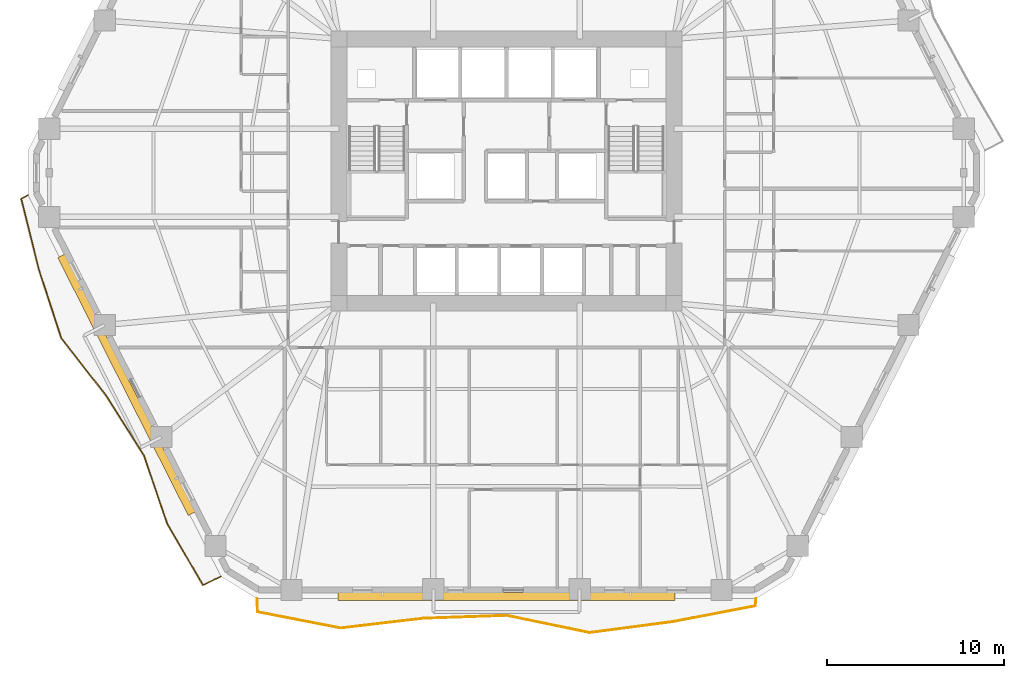
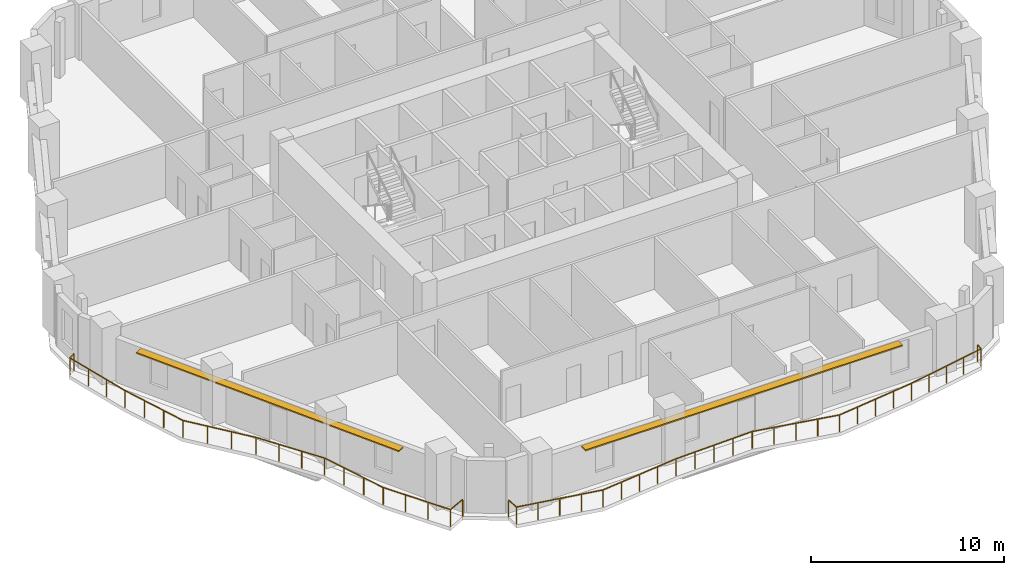
# One storey, part 11 of 14: 2 railings, 2 shading devices.
"""IFC4 building model written with IfcOpenShell, lengths in metres."""

from ifc_helpers import new_model, si_unit, direction, frame, origin, origin_2d, place, context, subcontext, project, spatial, rectangle, extrude, material, layer, layer_set, type_object, element, save


model = new_model("IFC4")

# Units and contexts
model_context = context("Model", 3, precision=1e-05, world=origin(), true_north=direction((0.0, 1.0)))
body_context = subcontext(model_context, "Body", "Model", "MODEL_VIEW")
ifc_project = project(units=[si_unit("LENGTHUNIT", "METRE"), si_unit("AREAUNIT", "SQUARE_METRE"), si_unit("VOLUMEUNIT", "CUBIC_METRE"), si_unit("PLANEANGLEUNIT", "RADIAN"), si_unit("MASSUNIT", "GRAM", prefix="KILO")], contexts=[model_context])

# Site, building, storey
site_placement = place(None, origin())
site = spatial("IfcSite", under=ifc_project, at=site_placement, CompositionType="ELEMENT")
building_placement = place(site_placement, origin())
building = spatial("IfcBuilding", under=site, at=building_placement, Name="Cinnabar Lancet Tower", CompositionType="ELEMENT")
storey_placement = place(building_placement, frame((0.0, 0.0, 67.5)))
storey = spatial("IfcBuildingStorey", under=building, at=storey_placement, Name="L17", CompositionType="ELEMENT", Elevation=67.5)

# Railings
ifc_material_1 = material(Name="Laminated safety glass and bronze stainless steel balustrade", Category="steel")
railing_type = type_object("IfcRailingType", Name="ENV-RLG-BAL-1100", PredefinedType="BALUSTRADE", material=ifc_material_1)
railing_1_placement = place(storey_placement, frame((18.343994140625, 1.800048828125, 0.0)))
element("IfcRailing", 1, at=railing_1_placement, inside=storey, type_object=railing_type, Name="L17 Face 1 Wave Balcony Balustrade", PredefinedType="BALUSTRADE", context=body_context, shape_type="SweptSolid", body=[
    extrude(rectangle(XDim=0.048095703125, YDim=0.048095703125, at=origin_2d()), frame((0.0, 0.0, 1.076171875), z_axis=(0.046742048435, -0.998906993122, 0.0), x_axis=(0.998906993122, 0.046742048435, 0.0)), (0.0, 0.0, 1.0), 0.746826171875),
    extrude(rectangle(XDim=0.048095703125, YDim=0.048095703125, at=origin_2d()), frame((0.034912109375, -0.74609375, 1.076171875), z_axis=(0.981688705417, -0.190492219411, 0.0), x_axis=(0.190492219411, 0.981688705417, 0.0)), (0.0, 0.0, 1.0), 4.76123046875),
    extrude(rectangle(XDim=0.048095703125, YDim=0.048095703125, at=origin_2d()), frame((4.708984375, -1.653076171875, 1.076171875), z_axis=(0.993197610951, 0.116440996218, 0.0), x_axis=(-0.116440996218, 0.993197610951, 0.0)), (0.0, 0.0, 1.0), 4.70703125),
    extrude(rectangle(XDim=0.048095703125, YDim=0.048095703125, at=origin_2d()), frame((9.384033203125, -1.10498046875, 1.076171875), z_axis=(0.999400341551, 0.034625962921, 0.0), x_axis=(-0.034625962921, 0.999400341551, 0.0)), (0.0, 0.0, 1.0), 4.674560546875),
    extrude(rectangle(XDim=0.048095703125, YDim=0.048095703125, at=origin_2d()), frame((14.055908203125, -0.943115234375, 1.076171875), z_axis=(0.979171079114, -0.203036937099, 0.0), x_axis=(0.203036937099, 0.979171079114, 0.0)), (0.0, 0.0, 1.0), 4.7724609375),
    extrude(rectangle(XDim=0.048095703125, YDim=0.048095703125, at=origin_2d()), frame((18.72900390625, -1.912109375, 1.076171875), z_axis=(0.991508326472, 0.130043217956, 0.0), x_axis=(-0.130043217956, 0.991508326472, 0.0)), (0.0, 0.0, 1.0), 4.714111328125),
    extrude(rectangle(XDim=0.048095703125, YDim=0.048095703125, at=origin_2d()), frame((23.403076171875, -1.299072265625, 1.076171875), z_axis=(0.982267538339, 0.187484621035, 0.0), x_axis=(-0.187484621035, 0.982267538339, 0.0)), (0.0, 0.0, 1.0), 4.75830078125),
    extrude(rectangle(XDim=0.048095703125, YDim=0.048095703125, at=origin_2d()), frame((28.076904296875, -0.406982421875, 1.076171875), z_axis=(0.08606222316, 0.996289763947, 0.0), x_axis=(-0.996289763947, 0.08606222316, 0.0)), (0.0, 0.0, 1.0), 0.408447265625),
    extrude(rectangle(XDim=0.0419921875, YDim=0.0419921875, at=origin_2d()), origin(), (0.0, 0.0, 1.0), 1.052001953125),
    extrude(rectangle(XDim=0.0419921875, YDim=0.0419921875, at=origin_2d()), frame((0.034912109375, -0.74609375, 0.0)), (0.0, 0.0, 1.0), 1.052001953125),
    extrude(rectangle(XDim=0.0419921875, YDim=0.0419921875, at=origin_2d()), frame((1.203369140625, -0.972900390625, 0.0)), (0.0, 0.0, 1.0), 1.052001953125),
    extrude(rectangle(XDim=0.0419921875, YDim=0.0419921875, at=origin_2d()), frame((2.3720703125, -1.19970703125, 0.0)), (0.0, 0.0, 1.0), 1.052001953125),
    extrude(rectangle(XDim=0.0419921875, YDim=0.0419921875, at=origin_2d()), frame((3.54052734375, -1.42626953125, 0.0)), (0.0, 0.0, 1.0), 1.052001953125),
    extrude(rectangle(XDim=0.0419921875, YDim=0.0419921875, at=origin_2d()), frame((4.708984375, -1.653076171875, 0.0)), (0.0, 0.0, 1.0), 1.052001953125),
    extrude(rectangle(XDim=0.0419921875, YDim=0.0419921875, at=origin_2d()), frame((5.877685546875, -1.51611328125, 0.0)), (0.0, 0.0, 1.0), 1.052001953125),
    extrude(rectangle(XDim=0.0419921875, YDim=0.0419921875, at=origin_2d()), frame((7.04638671875, -1.37890625, 0.0)), (0.0, 0.0, 1.0), 1.052001953125),
    extrude(rectangle(XDim=0.0419921875, YDim=0.0419921875, at=origin_2d()), frame((8.21533203125, -1.241943359375, 0.0)), (0.0, 0.0, 1.0), 1.052001953125),
    extrude(rectangle(XDim=0.0419921875, YDim=0.0419921875, at=origin_2d()), frame((9.384033203125, -1.10498046875, 0.0)), (0.0, 0.0, 1.0), 1.052001953125),
    extrude(rectangle(XDim=0.0419921875, YDim=0.0419921875, at=origin_2d()), frame((10.552001953125, -1.064453125, 0.0)), (0.0, 0.0, 1.0), 1.052001953125),
    extrude(rectangle(XDim=0.0419921875, YDim=0.0419921875, at=origin_2d()), frame((11.719970703125, -1.02392578125, 0.0)), (0.0, 0.0, 1.0), 1.052001953125),
    extrude(rectangle(XDim=0.0419921875, YDim=0.0419921875, at=origin_2d()), frame((12.887939453125, -0.983642578125, 0.0)), (0.0, 0.0, 1.0), 1.052001953125),
    extrude(rectangle(XDim=0.0419921875, YDim=0.0419921875, at=origin_2d()), frame((14.055908203125, -0.943115234375, 0.0)), (0.0, 0.0, 1.0), 1.052001953125),
    extrude(rectangle(XDim=0.0419921875, YDim=0.0419921875, at=origin_2d()), frame((15.22412109375, -1.185302734375, 0.0)), (0.0, 0.0, 1.0), 1.052001953125),
    extrude(rectangle(XDim=0.0419921875, YDim=0.0419921875, at=origin_2d()), frame((16.392578125, -1.427734375, 0.0)), (0.0, 0.0, 1.0), 1.052001953125),
    extrude(rectangle(XDim=0.0419921875, YDim=0.0419921875, at=origin_2d()), frame((17.560791015625, -1.669921875, 0.0)), (0.0, 0.0, 1.0), 1.052001953125),
    extrude(rectangle(XDim=0.0419921875, YDim=0.0419921875, at=origin_2d()), frame((18.72900390625, -1.912109375, 0.0)), (0.0, 0.0, 1.0), 1.052001953125),
    extrude(rectangle(XDim=0.0419921875, YDim=0.0419921875, at=origin_2d()), frame((19.8974609375, -1.7587890625, 0.0)), (0.0, 0.0, 1.0), 1.052001953125),
    extrude(rectangle(XDim=0.0419921875, YDim=0.0419921875, at=origin_2d()), frame((21.06591796875, -1.60546875, 0.0)), (0.0, 0.0, 1.0), 1.052001953125),
    extrude(rectangle(XDim=0.0419921875, YDim=0.0419921875, at=origin_2d()), frame((22.234619140625, -1.452392578125, 0.0)), (0.0, 0.0, 1.0), 1.052001953125),
    extrude(rectangle(XDim=0.0419921875, YDim=0.0419921875, at=origin_2d()), frame((23.403076171875, -1.299072265625, 0.0)), (0.0, 0.0, 1.0), 1.052001953125),
    extrude(rectangle(XDim=0.0419921875, YDim=0.0419921875, at=origin_2d()), frame((24.571533203125, -1.076171875, 0.0)), (0.0, 0.0, 1.0), 1.052001953125),
    extrude(rectangle(XDim=0.0419921875, YDim=0.0419921875, at=origin_2d()), frame((25.739990234375, -0.85302734375, 0.0)), (0.0, 0.0, 1.0), 1.052001953125),
    extrude(rectangle(XDim=0.0419921875, YDim=0.0419921875, at=origin_2d()), frame((26.908447265625, -0.6298828125, 0.0)), (0.0, 0.0, 1.0), 1.052001953125),
    extrude(rectangle(XDim=0.0419921875, YDim=0.0419921875, at=origin_2d()), frame((28.076904296875, -0.406982421875, 0.0)), (0.0, 0.0, 1.0), 1.052001953125),
    extrude(rectangle(XDim=0.0419921875, YDim=0.0419921875, at=origin_2d()), frame((28.112060546875, 0.0, 0.0)), (0.0, 0.0, 1.0), 1.052001953125),
])
railing_2_placement = place(storey_placement, frame((5.431884765625, 24.551025390625, 0.0)))
element("IfcRailing", 2, at=railing_2_placement, inside=storey, type_object=railing_type, Name="L17 Face 6 Wave Balcony Balustrade", PredefinedType="BALUSTRADE", context=body_context, shape_type="SweptSolid", body=[
    extrude(rectangle(XDim=0.048095703125, YDim=0.048095703125, at=origin_2d()), frame((0.0, 0.0, 1.076171875), z_axis=(-0.861171347006, -0.508314775603, 0.0), x_axis=(0.508314775603, -0.861171347006, 0.0)), (0.0, 0.0, 1.0), 0.4365234375),
    extrude(rectangle(XDim=0.048095703125, YDim=0.048095703125, at=origin_2d()), frame((-0.3759765625, -0.221923828125, 1.076171875), z_axis=(0.242885104383, -0.970055063421, 0.0), x_axis=(0.970055063421, 0.242885104383, 0.0)), (0.0, 0.0, 1.0), 4.109130859375),
    extrude(rectangle(XDim=0.048095703125, YDim=0.048095703125, at=origin_2d()), frame((0.6220703125, -4.2080078125, 1.076171875), z_axis=(0.309878578226, -0.950776139139, 0.0), x_axis=(0.950776139139, 0.309878578226, 0.0)), (0.0, 0.0, 1.0), 4.053466796875),
    extrude(rectangle(XDim=0.048095703125, YDim=0.048095703125, at=origin_2d()), frame((1.878173828125, -8.06201171875, 1.076171875), z_axis=(0.615173845787, -0.788391488703, 0.0), x_axis=(0.788391488703, 0.615173845787, 0.0)), (0.0, 0.0, 1.0), 4.081787109375),
    extrude(rectangle(XDim=0.048095703125, YDim=0.048095703125, at=origin_2d()), frame((4.38916015625, -11.280029296875, 1.076171875), z_axis=(0.534517909116, -0.845157148011, 0.0), x_axis=(0.845157148011, 0.534517909116, 0.0)), (0.0, 0.0, 1.0), 4.02392578125),
    extrude(rectangle(XDim=0.048095703125, YDim=0.048095703125, at=origin_2d()), frame((6.5400390625, -14.680908203125, 1.076171875), z_axis=(0.322212035134, -0.946667525805, 0.0), x_axis=(0.946667525805, 0.322212035134, 0.0)), (0.0, 0.0, 1.0), 4.046875),
    extrude(rectangle(XDim=0.048095703125, YDim=0.048095703125, at=origin_2d()), frame((7.843994140625, -18.511962890625, 1.076171875), z_axis=(0.503103356169, -0.864226251055, 0.0), x_axis=(0.864226251055, 0.503103356169, 0.0)), (0.0, 0.0, 1.0), 4.01513671875),
    extrude(rectangle(XDim=0.048095703125, YDim=0.048095703125, at=origin_2d()), frame((9.864013671875, -21.98193359375, 1.076171875), z_axis=(0.904197377291, 0.427114859143, 0.0), x_axis=(-0.427114859143, 0.904197377291, 0.0)), (0.0, 0.0, 1.0), 1.123779296875),
    extrude(rectangle(XDim=0.0419921875, YDim=0.0419921875, at=origin_2d()), origin(), (0.0, 0.0, 1.0), 1.052001953125),
    extrude(rectangle(XDim=0.0419921875, YDim=0.0419921875, at=origin_2d()), frame((-0.3759765625, -0.221923828125, 0.0)), (0.0, 0.0, 1.0), 1.052001953125),
    extrude(rectangle(XDim=0.0419921875, YDim=0.0419921875, at=origin_2d()), frame((-0.043212890625, -1.550537109375, 0.0)), (0.0, 0.0, 1.0), 1.052001953125),
    extrude(rectangle(XDim=0.0419921875, YDim=0.0419921875, at=origin_2d()), frame((0.289306640625, -2.87939453125, 0.0)), (0.0, 0.0, 1.0), 1.052001953125),
    extrude(rectangle(XDim=0.0419921875, YDim=0.0419921875, at=origin_2d()), frame((0.6220703125, -4.2080078125, 0.0)), (0.0, 0.0, 1.0), 1.052001953125),
    extrude(rectangle(XDim=0.0419921875, YDim=0.0419921875, at=origin_2d()), frame((1.040771484375, -5.49267578125, 0.0)), (0.0, 0.0, 1.0), 1.052001953125),
    extrude(rectangle(XDim=0.0419921875, YDim=0.0419921875, at=origin_2d()), frame((1.45947265625, -6.77734375, 0.0)), (0.0, 0.0, 1.0), 1.052001953125),
    extrude(rectangle(XDim=0.0419921875, YDim=0.0419921875, at=origin_2d()), frame((1.878173828125, -8.06201171875, 0.0)), (0.0, 0.0, 1.0), 1.052001953125),
    extrude(rectangle(XDim=0.0419921875, YDim=0.0419921875, at=origin_2d()), frame((2.715087890625, -9.134765625, 0.0)), (0.0, 0.0, 1.0), 1.052001953125),
    extrude(rectangle(XDim=0.0419921875, YDim=0.0419921875, at=origin_2d()), frame((3.55224609375, -10.207275390625, 0.0)), (0.0, 0.0, 1.0), 1.052001953125),
    extrude(rectangle(XDim=0.0419921875, YDim=0.0419921875, at=origin_2d()), frame((4.38916015625, -11.280029296875, 0.0)), (0.0, 0.0, 1.0), 1.052001953125),
    extrude(rectangle(XDim=0.0419921875, YDim=0.0419921875, at=origin_2d()), frame((5.106201171875, -12.41357421875, 0.0)), (0.0, 0.0, 1.0), 1.052001953125),
    extrude(rectangle(XDim=0.0419921875, YDim=0.0419921875, at=origin_2d()), frame((5.822998046875, -13.54736328125, 0.0)), (0.0, 0.0, 1.0), 1.052001953125),
    extrude(rectangle(XDim=0.0419921875, YDim=0.0419921875, at=origin_2d()), frame((6.5400390625, -14.680908203125, 0.0)), (0.0, 0.0, 1.0), 1.052001953125),
    extrude(rectangle(XDim=0.0419921875, YDim=0.0419921875, at=origin_2d()), frame((6.974609375, -15.9580078125, 0.0)), (0.0, 0.0, 1.0), 1.052001953125),
    extrude(rectangle(XDim=0.0419921875, YDim=0.0419921875, at=origin_2d()), frame((7.409423828125, -17.23486328125, 0.0)), (0.0, 0.0, 1.0), 1.052001953125),
    extrude(rectangle(XDim=0.0419921875, YDim=0.0419921875, at=origin_2d()), frame((7.843994140625, -18.511962890625, 0.0)), (0.0, 0.0, 1.0), 1.052001953125),
    extrude(rectangle(XDim=0.0419921875, YDim=0.0419921875, at=origin_2d()), frame((8.517333984375, -19.668701171875, 0.0)), (0.0, 0.0, 1.0), 1.052001953125),
    extrude(rectangle(XDim=0.0419921875, YDim=0.0419921875, at=origin_2d()), frame((9.190673828125, -20.8251953125, 0.0)), (0.0, 0.0, 1.0), 1.052001953125),
    extrude(rectangle(XDim=0.0419921875, YDim=0.0419921875, at=origin_2d()), frame((9.864013671875, -21.98193359375, 0.0)), (0.0, 0.0, 1.0), 1.052001953125),
    extrude(rectangle(XDim=0.0419921875, YDim=0.0419921875, at=origin_2d()), frame((10.880126953125, -21.501953125, 0.0)), (0.0, 0.0, 1.0), 1.052001953125),
])

# Shading devices
ifc_material_2 = material(Name="Pale limestone architectural aluminium sunshade", Category="masonry")
ifc_layer = layer(ifc_material_2, 0.080078125)
ifc_layer_set = layer_set([ifc_layer], Name="Pale limestone architectural aluminium sunshade")
shading_device_type = type_object("IfcShadingDeviceType", Name="ENV-SHD-LVR-450", PredefinedType="JALOUSIE", material=ifc_layer_set)
shading_device_1_placement = place(storey_placement, frame((32.39990234375, 1.929931640625, 2.639892578125), z_axis=(0.0, 0.0, 1.0), x_axis=(1.0, 0.0, 0.0)))
element("IfcShadingDevice", 3, at=shading_device_1_placement, inside=storey, type_object=shading_device_type, Name="L17 Face 1 Horizontal Sunshade Canopy", PredefinedType="JALOUSIE", context=body_context, shape_type="SweptSolid", body=[
    extrude(rectangle(XDim=18.993896484375, YDim=0.449951171875, at=origin_2d()), origin(), (0.0, 0.0, 1.0), 0.080078125),
])
shading_device_2_placement = place(storey_placement, frame((10.989990234375, 13.85595703125, 2.639892578125), z_axis=(0.0, 0.0, 1.0), x_axis=(0.451500573218, -0.892270829056, 0.0)))
element("IfcShadingDevice", 4, at=shading_device_2_placement, inside=storey, type_object=shading_device_type, Name="L17 Face 6 Horizontal Sunshade Canopy", PredefinedType="JALOUSIE", context=body_context, shape_type="SweptSolid", body=[
    extrude(rectangle(XDim=16.279052734375, YDim=0.449951171875, at=origin_2d()), origin(), (0.0, 0.0, 1.0), 0.080078125),
])

save(model, "model.ifc")
